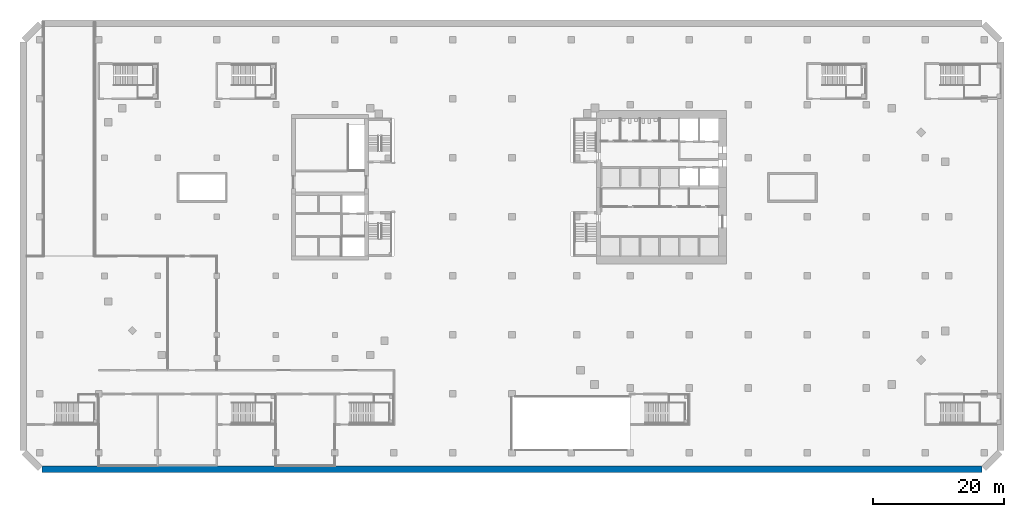
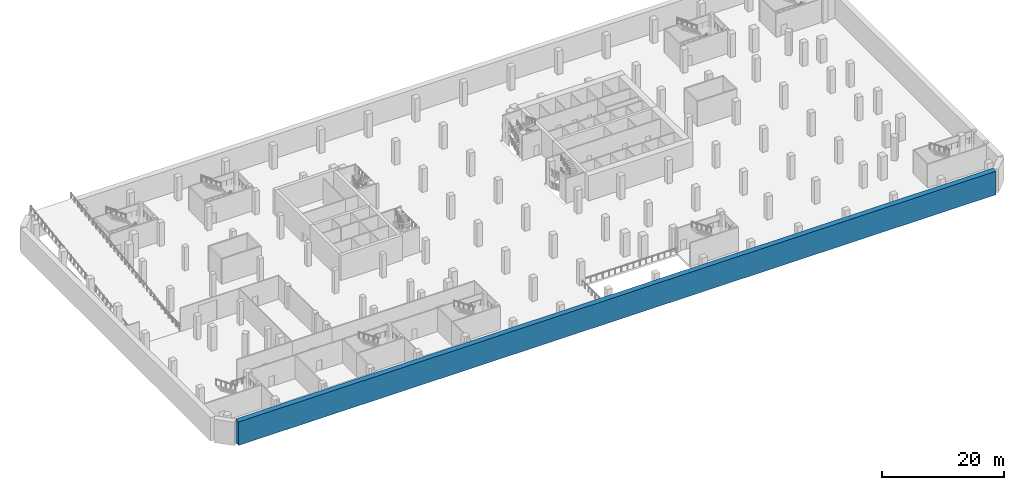
# One storey, part 6 of 19: 1 wall.
"""IFC4 building model written with IfcOpenShell, lengths in metres."""

from ifc_helpers import new_model, si_unit, direction, frame, frame_2d, origin, place, context, subcontext, project, spatial, rectangle, extrude, material, layer, layer_set, type_object, element, save


model = new_model("IFC4")

# Units and contexts
model_context = context("Model", 3, precision=1e-05, world=origin(), true_north=direction((0.0, 1.0)))
body_context = subcontext(model_context, "Body", "Model", "MODEL_VIEW")
ifc_project = project(units=[si_unit("LENGTHUNIT", "METRE"), si_unit("AREAUNIT", "SQUARE_METRE"), si_unit("VOLUMEUNIT", "CUBIC_METRE"), si_unit("PLANEANGLEUNIT", "RADIAN"), si_unit("MASSUNIT", "GRAM", prefix="KILO")], contexts=[model_context])

# Site, building, storey
site_placement = place(None, origin())
site = spatial("IfcSite", under=ifc_project, at=site_placement, CompositionType="ELEMENT")
building_placement = place(site_placement, origin())
building = spatial("IfcBuilding", under=site, at=building_placement, Name="Cinnabar Reach Civic Tower", CompositionType="ELEMENT")
storey_placement = place(building_placement, frame((0.0, 0.0, -5.0)))
storey = spatial("IfcBuildingStorey", under=building, at=storey_placement, Name="B1", CompositionType="ELEMENT", Elevation=-5.0)

# Wall
ifc_material = material(Name="Concrete C70", Category="concrete")
ifc_layer = layer(ifc_material, 1.0)
ifc_layer_set = layer_set([ifc_layer], Name="Basement wall 1000 EI 180")
wall_type = type_object("IfcWallType", Name="Basement wall 1000 EI 180", PredefinedType="SOLIDWALL", material=ifc_layer_set)
wall_placement = place(storey_placement, frame((62.6408, -11.5, 0.0), z_axis=(0.0, 0.0, 1.0), x_axis=(-1.0, 0.0, 0.0)))
element("IfcWall", 1, at=wall_placement, inside=storey, type_object=wall_type, Name="Basement wall B1 8", PredefinedType="SOLIDWALL", context=body_context, shape_type="SweptSolid", body=[
    extrude(rectangle(XDim=143.2816, YDim=1.0, at=frame_2d((71.6408, 0.0))), origin(), (0.0, 0.0, 1.0), 4.7),
])

save(model, "model.ifc")
